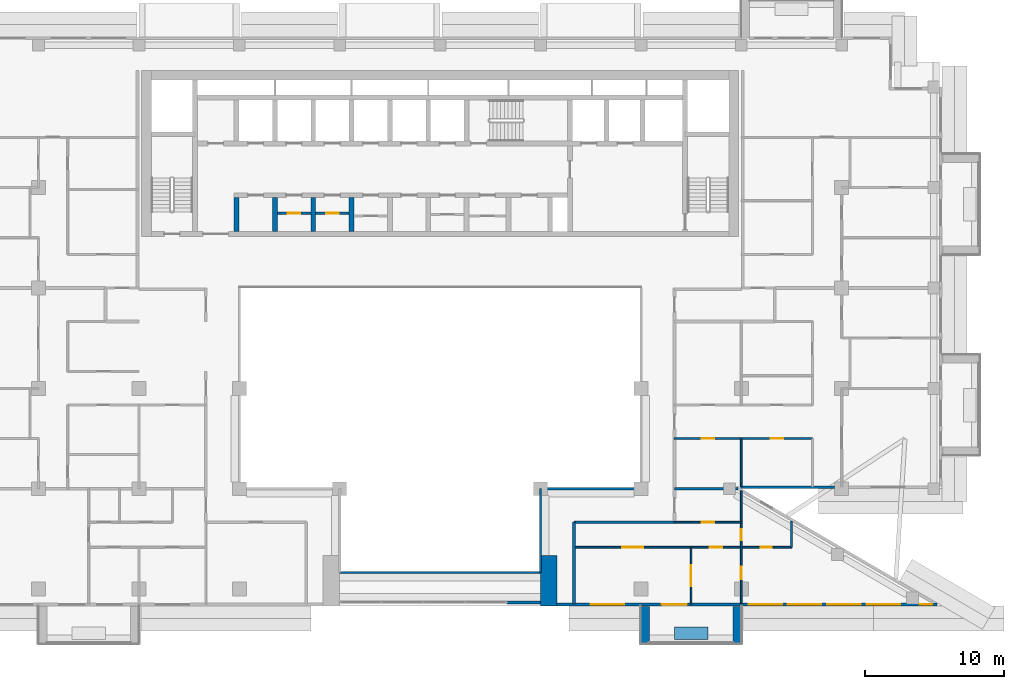
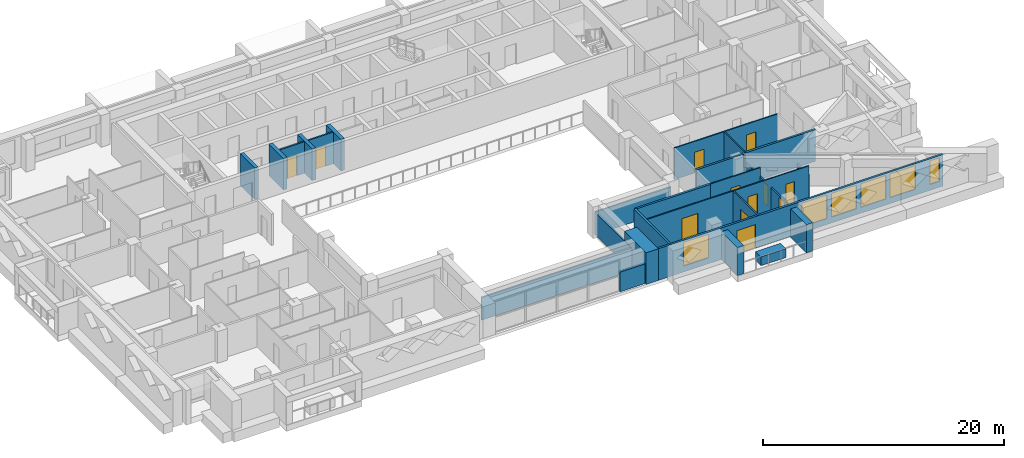
# One storey, part 8 of 20: 26 walls, 12 doors, 6 windows, 18 openings.
"""IFC4 building model written with IfcOpenShell, lengths in metres."""

from ifc_helpers import new_model, si_unit, direction, frame, frame_2d, origin, place, context, subcontext, project, spatial, rectangle, extrude, material, layer, layer_set, type_object, element, fill, save


model = new_model("IFC4")

# Units and contexts
model_context = context("Model", 3, precision=1e-05, world=origin(), true_north=direction((0.0, 1.0)))
body_context = subcontext(model_context, "Body", "Model", "MODEL_VIEW")
ifc_project = project(units=[si_unit("LENGTHUNIT", "METRE"), si_unit("AREAUNIT", "SQUARE_METRE"), si_unit("VOLUMEUNIT", "CUBIC_METRE"), si_unit("PLANEANGLEUNIT", "RADIAN"), si_unit("MASSUNIT", "GRAM", prefix="KILO")], contexts=[model_context])

# Site, building, storey
site_placement = place(None, origin())
site = spatial("IfcSite", under=ifc_project, at=site_placement, CompositionType="ELEMENT")
building_placement = place(site_placement, origin())
building = spatial("IfcBuilding", under=site, at=building_placement, Name="Saffron Iwan Residences", CompositionType="ELEMENT")
storey_placement = place(building_placement, frame((0.0, 0.0, 167.5)))
storey = spatial("IfcBuildingStorey", under=building, at=storey_placement, Name="L44", CompositionType="ELEMENT", Elevation=167.5)

# Walls
ifc_material_1 = material(Name="Fire-rated glazing", Category="glass")
ifc_layer_1 = layer(ifc_material_1, 0.14990234375)
ifc_layer_set_1 = layer_set([ifc_layer_1], Name="Fire-rated glazing")
wall_type_1 = type_object("IfcWallType", Name="Atrium glazed screen 150", PredefinedType="SOLIDWALL", material=ifc_layer_set_1)
wall_1_placement = place(storey_placement, frame((43.199951171875, 42.0, 0.0), z_axis=(0.0, 0.0, 1.0), x_axis=(1.0, 0.0, 0.0)))
element("IfcWall", 1, at=wall_1_placement, inside=storey, type_object=wall_type_1, Name="W-L44-SCREEN-h42-43.2", PredefinedType="SOLIDWALL", context=body_context, shape_type="SweptSolid", body=[
    extrude(rectangle(XDim=14.400146484375, YDim=0.14990234375, at=frame_2d((7.2001953125, 0.0))), origin(), (0.0, 0.0, 1.0), 2.300048828125),
])
wall_2_placement = place(storey_placement, frame((57.60009765625, 48.0, 0.0), z_axis=(0.0, 0.0, 1.0), x_axis=(1.0, 0.0, 0.0)))
element("IfcWall", 2, at=wall_2_placement, inside=storey, type_object=wall_type_1, Name="W-L44-SCREEN-h48-57.6", PredefinedType="SOLIDWALL", context=body_context, shape_type="SweptSolid", body=[
    extrude(rectangle(XDim=7.199951171875, YDim=0.14990234375, at=frame_2d((3.60009765625, 0.0))), origin(), (0.0, 0.0, 1.0), 2.300048828125),
])
wall_3_placement = place(storey_placement, frame((57.60009765625, 42.0, 0.0), z_axis=(0.0, 0.0, 1.0), x_axis=(0.0, 1.0, 0.0)))
element("IfcWall", 3, at=wall_3_placement, inside=storey, type_object=wall_type_1, Name="W-L44-SCREEN-v57.6-42", PredefinedType="SOLIDWALL", context=body_context, shape_type="SweptSolid", body=[
    extrude(rectangle(XDim=6.0, YDim=0.14990234375, at=frame_2d((3.0, 0.0))), origin(), (0.0, 0.0, 1.0), 2.300048828125),
])
ifc_material_2 = material(Name="Concrete C50/60 white painted", Category="concrete")
ifc_layer_2 = layer(ifc_material_2, 0.60009765625)
ifc_layer_set_2 = layer_set([ifc_layer_2], Name="Concrete C50/60 white painted")
wall_type_2 = type_object("IfcWallType", Name="BALCONY FIN 600", PredefinedType="SOLIDWALL", material=ifc_layer_set_2)
for number, where, z_axis, x_axis, name in (
    (4, (65.10009765625, 39.550048828125, 0.0), (0.0, 0.0, 1.0), (0.0, -1.0, 0.0), "Balcony fin L44 11-1a"),
    (5, (71.699951171875, 39.550048828125, 0.0), (0.0, 0.0, 1.0), (0.0, -1.0, 0.0), "Balcony fin L44 11-1b"),
):
    element("IfcWall", number, at=place(storey_placement, frame(where, z_axis=z_axis, x_axis=x_axis)), inside=storey, type_object=wall_type_2, Name=name, PredefinedType="SOLIDWALL", context=body_context, shape_type="SweptSolid", body=[
        extrude(rectangle(XDim=2.650146484375, YDim=0.60009765625, at=frame_2d((1.3251953125, 0.0))), origin(), (0.0, 0.0, 1.0), 2.85009765625),
    ])
ifc_material_3 = material(Name="Concrete C35/45 white painted", Category="concrete")
ifc_layer_3 = layer(ifc_material_3, 0.14990234375)
ifc_layer_set_3 = layer_set([ifc_layer_3], Name="Concrete C35/45 white painted")
wall_type_3 = type_object("IfcWallType", Name="BALCONY PLANTER", PredefinedType="SOLIDWALL", material=ifc_layer_set_3)
wall_4_placement = place(storey_placement, frame((67.199951171875, 37.625, 0.0), z_axis=(0.0, 0.0, 1.0), x_axis=(1.0, 0.0, 0.0)))
element("IfcWall", 6, at=wall_4_placement, inside=storey, type_object=wall_type_3, Name="PLANTER L44 11-1", PredefinedType="SOLIDWALL", context=body_context, shape_type="SweptSolid", body=[
    extrude(rectangle(XDim=2.400146484375, YDim=0.89990234375, at=frame_2d((1.2001953125, 0.0))), origin(), (0.0, 0.0, 1.0), 0.89990234375),
])

# Wall, opening, door
ifc_material_4 = material(Name="Fire-rated plasterboard partition")
ifc_layer_4 = layer(ifc_material_4, 0.14990234375)
ifc_layer_set_4 = layer_set([ifc_layer_4], Name="Fire-rated plasterboard partition")
wall_type_4 = type_object("IfcWallType", Name="Core partition 150", PredefinedType="PARTITIONING", material=ifc_layer_set_4)
wall_5_placement = place(storey_placement, frame((38.72509765625, 67.759521484375, 0.0), z_axis=(0.0, 0.0, 1.0), x_axis=(1.0, 0.0, 0.0)))
wall_5 = element("IfcWall", 7, at=wall_5_placement, inside=storey, type_object=wall_type_4, Name="Core partition P01", PredefinedType="PARTITIONING", context=body_context, shape_type="SweptSolid", body=[
    extrude(rectangle(XDim=2.39990234375, YDim=0.14990234375, at=frame_2d((1.199951171875, 0.0))), origin(), (0.0, 0.0, 1.0), 3.199951171875),
])
opening_1_placement = place(wall_5_placement, frame((0.75, 0.0, 0.0)))
opening_1 = element("IfcOpeningElement", 8, at=opening_1_placement, cuts=wall_5, Name="Opening SB", PredefinedType="OPENING", context=body_context, shape_type="SweptSolid", body=[
    extrude(rectangle(XDim=0.89990234375, YDim=2.10009765625, at=frame_2d((0.449951171875, 1.050048828125))), frame((0.0, 0.0849609375, 0.0), z_axis=(0.0, -1.0, 0.0), x_axis=(1.0, 0.0, 0.0)), (0.0, 0.0, 1.0), 0.169921875),
])
ifc_material_5 = material(Name="Steel fire door", Category="steel")
door_type_1 = type_object("IfcDoorType", Name="Store door 900", OperationType="NOTDEFINED", PredefinedType="DOOR", material=ifc_material_5)
door_1_placement = place(opening_1_placement, origin())
door_1 = element("IfcDoor", 9, at=door_1_placement, inside=storey, type_object=door_type_1, Name="Door Equipment store", OperationType="SINGLE_SWING_RIGHT", OverallHeight=2.10009765625, OverallWidth=0.89990234375, PredefinedType="DOOR", context=body_context, shape_type="SweptSolid", body=[
    extrude(rectangle(XDim=0.89990234375, YDim=2.10009765625, at=frame_2d((0.449951171875, 1.050048828125))), frame((0.0, 0.02490234375, 0.0), z_axis=(0.0, -1.0, 0.0), x_axis=(1.0, 0.0, 0.0)), (0.0, 0.0, 1.0), 0.050048828125),
])
fill(opening_1, door_1)

wall_6_placement = place(storey_placement, frame((41.47509765625, 67.759521484375, 0.0), z_axis=(0.0, 0.0, 1.0), x_axis=(1.0, 0.0, 0.0)))
wall_6 = element("IfcWall", 10, at=wall_6_placement, inside=storey, type_object=wall_type_4, Name="Core partition P02", PredefinedType="PARTITIONING", context=body_context, shape_type="SweptSolid", body=[
    extrude(rectangle(XDim=2.39990234375, YDim=0.14990234375, at=frame_2d((1.199951171875, 0.0))), origin(), (0.0, 0.0, 1.0), 3.199951171875),
])
opening_2_placement = place(wall_6_placement, frame((0.75, 0.0, 0.0)))
opening_2 = element("IfcOpeningElement", 11, at=opening_2_placement, cuts=wall_6, Name="Opening SB", PredefinedType="OPENING", context=body_context, shape_type="SweptSolid", body=[
    extrude(rectangle(XDim=0.89990234375, YDim=2.10009765625, at=frame_2d((0.449951171875, 1.050048828125))), frame((0.0, 0.0849609375, 0.0), z_axis=(0.0, -1.0, 0.0), x_axis=(1.0, 0.0, 0.0)), (0.0, 0.0, 1.0), 0.169921875),
])
door_2_placement = place(opening_2_placement, origin())
door_2 = element("IfcDoor", 12, at=door_2_placement, inside=storey, type_object=door_type_1, Name="Door Mop store", OperationType="SINGLE_SWING_LEFT", OverallHeight=2.10009765625, OverallWidth=0.89990234375, PredefinedType="DOOR", context=body_context, shape_type="SweptSolid", body=[
    extrude(rectangle(XDim=0.89990234375, YDim=2.10009765625, at=frame_2d((0.449951171875, 1.050048828125))), frame((0.0, 0.02490234375, 0.0), z_axis=(0.0, -1.0, 0.0), x_axis=(1.0, 0.0, 0.0)), (0.0, 0.0, 1.0), 0.050048828125),
])
fill(opening_2, door_2)

# Wall
ifc_material_6 = material(Name="Concrete C40/50", Category="concrete")
ifc_layer_5 = layer(ifc_material_6, 0.199951171875)
ifc_layer_set_5 = layer_set([ifc_layer_5], Name="Concrete C40/50")
wall_type_5 = type_object("IfcWallType", Name="EXTERNAL WALL 200", PredefinedType="SOLIDWALL", material=ifc_layer_set_5)
wall_7_placement = place(storey_placement, frame((71.989990234375, 48.10009765625, 0.0), z_axis=(0.0, 0.0, 1.0), x_axis=(1.0, 0.0, 0.0)))
element("IfcWall", 13, at=wall_7_placement, inside=storey, type_object=wall_type_5, Name="External wall L44 F1.0", PredefinedType="SOLIDWALL", context=body_context, shape_type="SweptSolid", body=[
    extrude(rectangle(XDim=6.7099609375, YDim=0.199951171875, at=frame_2d((3.35498046875, 0.0))), origin(), (0.0, 0.0, 1.0), 3.199951171875),
])

# Wall, openings, door, windows
wall_8_placement = place(storey_placement, frame((58.800048828125, 39.699951171875, 0.0), z_axis=(0.0, 0.0, 1.0), x_axis=(1.0, 0.0, 0.0)))
wall_8 = element("IfcWall", 14, at=wall_8_placement, inside=storey, type_object=wall_type_5, Name="External wall L44 F11.1", PredefinedType="SOLIDWALL", context=body_context, shape_type="SweptSolid", body=[
    extrude(rectangle(XDim=27.22998046875, YDim=0.199951171875, at=frame_2d((13.614990234375, 0.0))), origin(), (0.0, 0.0, 1.0), 3.199951171875),
])
opening_3_placement = place(wall_8_placement, frame((7.5, 0.0, 0.0)))
opening_3 = element("IfcOpeningElement", 15, at=opening_3_placement, cuts=wall_8, Name="Opening BD1", PredefinedType="OPENING", context=body_context, shape_type="SweptSolid", body=[
    extrude(rectangle(XDim=1.800048828125, YDim=2.39990234375, at=frame_2d((0.89990234375, 1.199951171875))), frame((0.0, 0.10986328125, 0.0), z_axis=(0.0, -1.0, 0.0), x_axis=(1.0, 0.0, 0.0)), (0.0, 0.0, 1.0), 0.219970703125),
])
opening_4_placement = place(wall_8_placement, frame((2.39990234375, 0.0, 0.60009765625)))
opening_4 = element("IfcOpeningElement", 16, at=opening_4_placement, cuts=wall_8, Name="Opening W1", PredefinedType="OPENING", context=body_context, shape_type="SweptSolid", body=[
    extrude(rectangle(XDim=2.39990234375, YDim=2.39990234375, at=frame_2d((1.199951171875, 1.199951171875))), frame((0.0, 0.10986328125, 0.0), z_axis=(0.0, -1.0, 0.0), x_axis=(1.0, 0.0, 0.0)), (0.0, 0.0, 1.0), 0.219970703125),
])
opening_5_placement = place(wall_8_placement, frame((13.72021484375, 0.0, 0.60009765625)))
opening_5 = element("IfcOpeningElement", 17, at=opening_5_placement, cuts=wall_8, Name="Opening W1", PredefinedType="OPENING", context=body_context, shape_type="SweptSolid", body=[
    extrude(rectangle(XDim=2.39990234375, YDim=2.39990234375, at=frame_2d((1.199951171875, 1.199951171875))), frame((0.0, 0.10986328125, 0.0), z_axis=(0.0, -1.0, 0.0), x_axis=(1.0, 0.0, 0.0)), (0.0, 0.0, 1.0), 0.219970703125),
])
opening_6_placement = place(wall_8_placement, frame((16.54052734375, 0.0, 0.60009765625)))
opening_6 = element("IfcOpeningElement", 18, at=opening_6_placement, cuts=wall_8, Name="Opening W1", PredefinedType="OPENING", context=body_context, shape_type="SweptSolid", body=[
    extrude(rectangle(XDim=2.39990234375, YDim=2.39990234375, at=frame_2d((1.199951171875, 1.199951171875))), frame((0.0, 0.10986328125, 0.0), z_axis=(0.0, -1.0, 0.0), x_axis=(1.0, 0.0, 0.0)), (0.0, 0.0, 1.0), 0.219970703125),
])
opening_7_placement = place(wall_8_placement, frame((19.360595703125, 0.0, 0.60009765625)))
opening_7 = element("IfcOpeningElement", 19, at=opening_7_placement, cuts=wall_8, Name="Opening W1", PredefinedType="OPENING", context=body_context, shape_type="SweptSolid", body=[
    extrude(rectangle(XDim=2.39990234375, YDim=2.39990234375, at=frame_2d((1.199951171875, 1.199951171875))), frame((0.0, 0.10986328125, 0.0), z_axis=(0.0, -1.0, 0.0), x_axis=(1.0, 0.0, 0.0)), (0.0, 0.0, 1.0), 0.219970703125),
])
opening_8_placement = place(wall_8_placement, frame((22.180908203125, 0.0, 0.60009765625)))
opening_8 = element("IfcOpeningElement", 20, at=opening_8_placement, cuts=wall_8, Name="Opening W1", PredefinedType="OPENING", context=body_context, shape_type="SweptSolid", body=[
    extrude(rectangle(XDim=2.39990234375, YDim=2.39990234375, at=frame_2d((1.199951171875, 1.199951171875))), frame((0.0, 0.10986328125, 0.0), z_axis=(0.0, -1.0, 0.0), x_axis=(1.0, 0.0, 0.0)), (0.0, 0.0, 1.0), 0.219970703125),
])
opening_9_placement = place(wall_8_placement, frame((25.990478515625, 0.0, 0.60009765625)))
opening_9 = element("IfcOpeningElement", 21, at=opening_9_placement, cuts=wall_8, Name="Opening W10", PredefinedType="OPENING", context=body_context, shape_type="SweptSolid", body=[
    extrude(rectangle(XDim=0.89990234375, YDim=2.39990234375, at=frame_2d((0.449951171875, 1.199951171875))), frame((0.0, 0.10986328125, 0.0), z_axis=(0.0, -1.0, 0.0), x_axis=(1.0, 0.0, 0.0)), (0.0, 0.0, 1.0), 0.219970703125),
])
ifc_material_7 = material(Name="Clear glass, laminated double glazed", Category="glass")
door_type_2 = type_object("IfcDoorType", Name="BALCONY DOOR 1800 x 2400", OperationType="DOUBLE_DOOR_SLIDING", PredefinedType="DOOR", material=ifc_material_7)
door_3_placement = place(opening_3_placement, origin())
door_3 = element("IfcDoor", 22, at=door_3_placement, inside=storey, type_object=door_type_2, Name="Balcony door L44 F11.0", OperationType="DOUBLE_DOOR_SLIDING", OverallHeight=2.39990234375, OverallWidth=1.800048828125, PredefinedType="DOOR", context=body_context, shape_type="SweptSolid", body=[
    extrude(rectangle(XDim=1.800048828125, YDim=2.39990234375, at=frame_2d((0.89990234375, 1.199951171875))), frame((0.0, 0.02490234375, 0.0), z_axis=(0.0, -1.0, 0.0), x_axis=(1.0, 0.0, 0.0)), (0.0, 0.0, 1.0), 0.050048828125),
])
fill(opening_3, door_3)
window_type_1 = type_object("IfcWindowType", Name="WINDOW 2400 x 2400", PartitioningType="DOUBLE_PANEL_VERTICAL", PredefinedType="WINDOW", material=ifc_material_7)
window_1_placement = place(opening_4_placement, origin())
window_1 = element("IfcWindow", 23, at=window_1_placement, inside=storey, type_object=window_type_1, Name="Window L44 F11.1", OverallHeight=2.39990234375, OverallWidth=2.39990234375, PartitioningType="DOUBLE_PANEL_VERTICAL", PredefinedType="WINDOW", context=body_context, shape_type="SweptSolid", body=[
    extrude(rectangle(XDim=2.39990234375, YDim=2.39990234375, at=frame_2d((1.199951171875, 1.199951171875))), frame((0.0, 0.030029296875, 0.0), z_axis=(0.0, -1.0, 0.0), x_axis=(1.0, 0.0, 0.0)), (0.0, 0.0, 1.0), 0.06005859375),
])
fill(opening_4, window_1)
window_2_placement = place(opening_5_placement, origin())
window_2 = element("IfcWindow", 24, at=window_2_placement, inside=storey, type_object=window_type_1, Name="Window L44 F11.2", OverallHeight=2.39990234375, OverallWidth=2.39990234375, PartitioningType="DOUBLE_PANEL_VERTICAL", PredefinedType="WINDOW", context=body_context, shape_type="SweptSolid", body=[
    extrude(rectangle(XDim=2.39990234375, YDim=2.39990234375, at=frame_2d((1.199951171875, 1.199951171875))), frame((0.0, 0.030029296875, 0.0), z_axis=(0.0, -1.0, 0.0), x_axis=(1.0, 0.0, 0.0)), (0.0, 0.0, 1.0), 0.06005859375),
])
fill(opening_5, window_2)
window_3_placement = place(opening_6_placement, origin())
window_3 = element("IfcWindow", 25, at=window_3_placement, inside=storey, type_object=window_type_1, Name="Window L44 F11.3", OverallHeight=2.39990234375, OverallWidth=2.39990234375, PartitioningType="DOUBLE_PANEL_VERTICAL", PredefinedType="WINDOW", context=body_context, shape_type="SweptSolid", body=[
    extrude(rectangle(XDim=2.39990234375, YDim=2.39990234375, at=frame_2d((1.199951171875, 1.199951171875))), frame((0.0, 0.030029296875, 0.0), z_axis=(0.0, -1.0, 0.0), x_axis=(1.0, 0.0, 0.0)), (0.0, 0.0, 1.0), 0.06005859375),
])
fill(opening_6, window_3)
window_4_placement = place(opening_7_placement, origin())
window_4 = element("IfcWindow", 26, at=window_4_placement, inside=storey, type_object=window_type_1, Name="Window L44 F11.4", OverallHeight=2.39990234375, OverallWidth=2.39990234375, PartitioningType="DOUBLE_PANEL_VERTICAL", PredefinedType="WINDOW", context=body_context, shape_type="SweptSolid", body=[
    extrude(rectangle(XDim=2.39990234375, YDim=2.39990234375, at=frame_2d((1.199951171875, 1.199951171875))), frame((0.0, 0.030029296875, 0.0), z_axis=(0.0, -1.0, 0.0), x_axis=(1.0, 0.0, 0.0)), (0.0, 0.0, 1.0), 0.06005859375),
])
fill(opening_7, window_4)
window_5_placement = place(opening_8_placement, origin())
window_5 = element("IfcWindow", 27, at=window_5_placement, inside=storey, type_object=window_type_1, Name="Window L44 F11.5", OverallHeight=2.39990234375, OverallWidth=2.39990234375, PartitioningType="DOUBLE_PANEL_VERTICAL", PredefinedType="WINDOW", context=body_context, shape_type="SweptSolid", body=[
    extrude(rectangle(XDim=2.39990234375, YDim=2.39990234375, at=frame_2d((1.199951171875, 1.199951171875))), frame((0.0, 0.030029296875, 0.0), z_axis=(0.0, -1.0, 0.0), x_axis=(1.0, 0.0, 0.0)), (0.0, 0.0, 1.0), 0.06005859375),
])
fill(opening_8, window_5)
window_type_2 = type_object("IfcWindowType", Name="WINDOW 900 x 2400", PartitioningType="SINGLE_PANEL", PredefinedType="WINDOW", material=ifc_material_7)
window_6_placement = place(opening_9_placement, origin())
window_6 = element("IfcWindow", 28, at=window_6_placement, inside=storey, type_object=window_type_2, Name="Window L44 F11.6", OverallHeight=2.39990234375, OverallWidth=0.89990234375, PartitioningType="SINGLE_PANEL", PredefinedType="WINDOW", context=body_context, shape_type="SweptSolid", body=[
    extrude(rectangle(XDim=0.89990234375, YDim=2.39990234375, at=frame_2d((0.449951171875, 1.199951171875))), frame((0.0, 0.030029296875, 0.0), z_axis=(0.0, -1.0, 0.0), x_axis=(1.0, 0.0, 0.0)), (0.0, 0.0, 1.0), 0.06005859375),
])
fill(opening_9, window_6)

# Walls
wall_9_placement = place(storey_placement, frame((55.199951171875, 39.85009765625, 0.0), z_axis=(0.0, 0.0, 1.0), x_axis=(1.0, 0.0, 0.0)))
element("IfcWall", 29, at=wall_9_placement, inside=storey, type_object=wall_type_5, Name="External wall infill CWB-L44-0", PredefinedType="SOLIDWALL", context=body_context, shape_type="SweptSolid", body=[
    extrude(rectangle(XDim=2.400146484375, YDim=0.199951171875, at=frame_2d((1.2001953125, 0.0))), origin(), (0.0, 0.0, 1.0), 2.0),
])
ifc_material_8 = material(Name="Fire-rated gypsum board wall")
ifc_layer_6 = layer(ifc_material_8, 0.199951171875)
ifc_layer_set_6 = layer_set([ifc_layer_6], Name="Fire-rated gypsum board wall")
wall_type_6 = type_object("IfcWallType", Name="Flat demising wall 200", PredefinedType="SOLIDWALL", material=ifc_layer_set_6)
wall_10_placement = place(storey_placement, frame((67.199951171875, 48.0, 0.0), z_axis=(0.0, 0.0, 1.0), x_axis=(1.0, 0.0, 0.0)))
element("IfcWall", 30, at=wall_10_placement, inside=storey, type_object=wall_type_6, Name="W-L44-DEMISE-h48-67.2", PredefinedType="SOLIDWALL", context=body_context, shape_type="SweptSolid", body=[
    extrude(rectangle(XDim=4.552001953125, YDim=0.199951171875, at=frame_2d((2.27587890625, 0.0))), origin(), (0.0, 0.0, 1.0), 3.199951171875),
])

# Wall, openings, doors
ifc_material_9 = material(Name="Gypsum board partition")
ifc_layer_7 = layer(ifc_material_9, 0.1201171875)
ifc_layer_set_7 = layer_set([ifc_layer_7], Name="Gypsum board partition")
wall_type_7 = type_object("IfcWallType", Name="Flat partition 120", PredefinedType="PARTITIONING", material=ifc_layer_set_7)
wall_11_placement = place(storey_placement, frame((60.0, 43.800048828125, 0.0), z_axis=(0.0, 0.0, 1.0), x_axis=(1.0, 0.0, 0.0)))
wall_11 = element("IfcWall", 31, at=wall_11_placement, inside=storey, type_object=wall_type_7, Name="W-L44-PART-h43.8-60", PredefinedType="PARTITIONING", context=body_context, shape_type="SweptSolid", body=[
    extrude(rectangle(XDim=15.60009765625, YDim=0.1201171875, at=frame_2d((7.800048828125, 0.0))), origin(), (0.0, 0.0, 1.0), 3.199951171875),
])
opening_10_placement = place(wall_11_placement, frame((9.75, 0.0, 0.0)))
opening_10 = element("IfcOpeningElement", 32, at=opening_10_placement, cuts=wall_11, Name="Opening FD2", PredefinedType="OPENING", context=body_context, shape_type="SweptSolid", body=[
    extrude(rectangle(XDim=0.89990234375, YDim=2.10009765625, at=frame_2d((0.449951171875, 1.050048828125))), frame((0.0, 0.070068359375, 0.0), z_axis=(0.0, -1.0, 0.0), x_axis=(1.0, 0.0, 0.0)), (0.0, 0.0, 1.0), 0.14013671875),
])
opening_11_placement = place(wall_11_placement, frame((3.449951171875, 0.0, 0.0)))
opening_11 = element("IfcOpeningElement", 33, at=opening_11_placement, cuts=wall_11, Name="Opening FD4", PredefinedType="OPENING", context=body_context, shape_type="SweptSolid", body=[
    extrude(rectangle(XDim=1.5, YDim=2.10009765625, at=frame_2d((0.75, 1.050048828125))), frame((0.0, 0.070068359375, 0.0), z_axis=(0.0, -1.0, 0.0), x_axis=(1.0, 0.0, 0.0)), (0.0, 0.0, 1.0), 0.14013671875),
])
opening_12_placement = place(wall_11_placement, frame((13.39990234375, 0.0, 0.0)))
opening_12 = element("IfcOpeningElement", 34, at=opening_12_placement, cuts=wall_11, Name="Opening FD3", PredefinedType="OPENING", context=body_context, shape_type="SweptSolid", body=[
    extrude(rectangle(XDim=0.800048828125, YDim=2.10009765625, at=frame_2d((0.39990234375, 1.050048828125))), frame((0.0, 0.070068359375, 0.0), z_axis=(0.0, -1.0, 0.0), x_axis=(1.0, 0.0, 0.0)), (0.0, 0.0, 1.0), 0.14013671875),
])
ifc_material_10 = material(Name="Timber door", Category="wood")
door_type_3 = type_object("IfcDoorType", Name="Bathroom door 800", OperationType="NOTDEFINED", PredefinedType="DOOR", material=ifc_material_10)
door_4_placement = place(opening_12_placement, origin())
door_4 = element("IfcDoor", 35, at=door_4_placement, inside=storey, type_object=door_type_3, Name="Door L44-048", OperationType="SINGLE_SWING_LEFT", OverallHeight=2.10009765625, OverallWidth=0.800048828125, PredefinedType="DOOR", context=body_context, shape_type="SweptSolid", body=[
    extrude(rectangle(XDim=0.800048828125, YDim=2.10009765625, at=frame_2d((0.39990234375, 1.050048828125))), frame((0.0, 0.02490234375, 0.0), z_axis=(0.0, -1.0, 0.0), x_axis=(1.0, 0.0, 0.0)), (0.0, 0.0, 1.0), 0.050048828125),
])
fill(opening_12, door_4)
door_type_4 = type_object("IfcDoorType", Name="Double door 1500", OperationType="NOTDEFINED", PredefinedType="DOOR", material=ifc_material_10)
door_5_placement = place(opening_11_placement, origin())
door_5 = element("IfcDoor", 36, at=door_5_placement, inside=storey, type_object=door_type_4, Name="Door L44-045", OperationType="SINGLE_SWING_LEFT", OverallHeight=2.10009765625, OverallWidth=1.5, PredefinedType="DOOR", context=body_context, shape_type="SweptSolid", body=[
    extrude(rectangle(XDim=1.5, YDim=2.10009765625, at=frame_2d((0.75, 1.050048828125))), frame((0.0, 0.02490234375, 0.0), z_axis=(0.0, -1.0, 0.0), x_axis=(1.0, 0.0, 0.0)), (0.0, 0.0, 1.0), 0.050048828125),
])
fill(opening_11, door_5)
door_type_5 = type_object("IfcDoorType", Name="Flat door 900", OperationType="NOTDEFINED", PredefinedType="DOOR", material=ifc_material_10)
door_6_placement = place(opening_10_placement, origin())
door_6 = element("IfcDoor", 37, at=door_6_placement, inside=storey, type_object=door_type_5, Name="Door L44-044", OperationType="SINGLE_SWING_RIGHT", OverallHeight=2.10009765625, OverallWidth=0.89990234375, PredefinedType="DOOR", context=body_context, shape_type="SweptSolid", body=[
    extrude(rectangle(XDim=0.89990234375, YDim=2.10009765625, at=frame_2d((0.449951171875, 1.050048828125))), frame((0.0, 0.02490234375, 0.0), z_axis=(0.0, -1.0, 0.0), x_axis=(1.0, 0.0, 0.0)), (0.0, 0.0, 1.0), 0.050048828125),
])
fill(opening_10, door_6)

# Wall, opening, door
wall_12_placement = place(storey_placement, frame((67.199951171875, 45.60009765625, 0.0), z_axis=(0.0, 0.0, 1.0), x_axis=(1.0, 0.0, 0.0)))
wall_12 = element("IfcWall", 38, at=wall_12_placement, inside=storey, type_object=wall_type_7, Name="W-L44-PART-h45.6-67.2", PredefinedType="PARTITIONING", context=body_context, shape_type="SweptSolid", body=[
    extrude(rectangle(XDim=4.800048828125, YDim=0.1201171875, at=frame_2d((2.39990234375, 0.0))), origin(), (0.0, 0.0, 1.0), 3.199951171875),
])
opening_13_placement = place(wall_12_placement, frame((1.949951171875, 0.0, 0.0)))
opening_13 = element("IfcOpeningElement", 39, at=opening_13_placement, cuts=wall_12, Name="Opening FD2", PredefinedType="OPENING", context=body_context, shape_type="SweptSolid", body=[
    extrude(rectangle(XDim=0.89990234375, YDim=2.10009765625, at=frame_2d((0.449951171875, 1.050048828125))), frame((0.0, 0.070068359375, 0.0), z_axis=(0.0, -1.0, 0.0), x_axis=(1.0, 0.0, 0.0)), (0.0, 0.0, 1.0), 0.14013671875),
])
door_7_placement = place(opening_13_placement, origin())
door_7 = element("IfcDoor", 40, at=door_7_placement, inside=storey, type_object=door_type_5, Name="Door L44-042", OperationType="SINGLE_SWING_LEFT", OverallHeight=2.10009765625, OverallWidth=0.89990234375, PredefinedType="DOOR", context=body_context, shape_type="SweptSolid", body=[
    extrude(rectangle(XDim=0.89990234375, YDim=2.10009765625, at=frame_2d((0.449951171875, 1.050048828125))), frame((0.0, 0.02490234375, 0.0), z_axis=(0.0, -1.0, 0.0), x_axis=(1.0, 0.0, 0.0)), (0.0, 0.0, 1.0), 0.050048828125),
])
fill(opening_13, door_7)

# Wall, openings, doors
wall_13_placement = place(storey_placement, frame((67.199951171875, 51.60009765625, 0.0), z_axis=(0.0, 0.0, 1.0), x_axis=(1.0, 0.0, 0.0)))
wall_13 = element("IfcWall", 41, at=wall_13_placement, inside=storey, type_object=wall_type_7, Name="W-L44-PART-h51.6-67.2", PredefinedType="PARTITIONING", context=body_context, shape_type="SweptSolid", body=[
    extrude(rectangle(XDim=9.900146484375, YDim=0.1201171875, at=frame_2d((4.9501953125, 0.0))), origin(), (0.0, 0.0, 1.0), 3.199951171875),
])
opening_14_placement = place(wall_13_placement, frame((6.89990234375, 0.0, 0.0)))
opening_14 = element("IfcOpeningElement", 42, at=opening_14_placement, cuts=wall_13, Name="Opening FD2", PredefinedType="OPENING", context=body_context, shape_type="SweptSolid", body=[
    extrude(rectangle(XDim=0.89990234375, YDim=2.10009765625, at=frame_2d((0.449951171875, 1.050048828125))), frame((0.0, 0.070068359375, 0.0), z_axis=(0.0, -1.0, 0.0), x_axis=(1.0, 0.0, 0.0)), (0.0, 0.0, 1.0), 0.14013671875),
])
opening_15_placement = place(wall_13_placement, frame((1.949951171875, 0.0, 0.0)))
opening_15 = element("IfcOpeningElement", 43, at=opening_15_placement, cuts=wall_13, Name="Opening FD2", PredefinedType="OPENING", context=body_context, shape_type="SweptSolid", body=[
    extrude(rectangle(XDim=0.89990234375, YDim=2.10009765625, at=frame_2d((0.449951171875, 1.050048828125))), frame((0.0, 0.070068359375, 0.0), z_axis=(0.0, -1.0, 0.0), x_axis=(1.0, 0.0, 0.0)), (0.0, 0.0, 1.0), 0.14013671875),
])
door_8_placement = place(opening_14_placement, origin())
door_8 = element("IfcDoor", 44, at=door_8_placement, inside=storey, type_object=door_type_5, Name="Door L44-020", OperationType="SINGLE_SWING_RIGHT", OverallHeight=2.10009765625, OverallWidth=0.89990234375, PredefinedType="DOOR", context=body_context, shape_type="SweptSolid", body=[
    extrude(rectangle(XDim=0.89990234375, YDim=2.10009765625, at=frame_2d((0.449951171875, 1.050048828125))), frame((0.0, 0.02490234375, 0.0), z_axis=(0.0, -1.0, 0.0), x_axis=(1.0, 0.0, 0.0)), (0.0, 0.0, 1.0), 0.050048828125),
])
fill(opening_14, door_8)
door_9_placement = place(opening_15_placement, origin())
door_9 = element("IfcDoor", 45, at=door_9_placement, inside=storey, type_object=door_type_5, Name="Door L44-023", OperationType="SINGLE_SWING_RIGHT", OverallHeight=2.10009765625, OverallWidth=0.89990234375, PredefinedType="DOOR", context=body_context, shape_type="SweptSolid", body=[
    extrude(rectangle(XDim=0.89990234375, YDim=2.10009765625, at=frame_2d((0.449951171875, 1.050048828125))), frame((0.0, 0.02490234375, 0.0), z_axis=(0.0, -1.0, 0.0), x_axis=(1.0, 0.0, 0.0)), (0.0, 0.0, 1.0), 0.050048828125),
])
fill(opening_15, door_9)

# Wall, opening, door
wall_14_placement = place(storey_placement, frame((68.39990234375, 39.72509765625, 0.0), z_axis=(0.0, 0.0, 1.0), x_axis=(0.0, 1.0, 0.0)))
wall_14 = element("IfcWall", 46, at=wall_14_placement, inside=storey, type_object=wall_type_7, Name="W-L44-PART-v68.4-39.725", PredefinedType="PARTITIONING", context=body_context, shape_type="SweptSolid", body=[
    extrude(rectangle(XDim=4.074951171875, YDim=0.1201171875, at=frame_2d((2.03759765625, 0.0))), origin(), (0.0, 0.0, 1.0), 3.199951171875),
])
opening_16_placement = place(wall_14_placement, frame((1.28759765625, 0.0, 0.0)))
opening_16 = element("IfcOpeningElement", 47, at=opening_16_placement, cuts=wall_14, Name="Opening FD4", PredefinedType="OPENING", context=body_context, shape_type="SweptSolid", body=[
    extrude(rectangle(XDim=1.5, YDim=2.10009765625, at=frame_2d((0.75, 1.050048828125))), frame((0.0, 0.070068359375, 0.0), z_axis=(0.0, -1.0, 0.0), x_axis=(1.0, 0.0, 0.0)), (0.0, 0.0, 1.0), 0.14013671875),
])
door_10_placement = place(opening_16_placement, origin())
door_10 = element("IfcDoor", 48, at=door_10_placement, inside=storey, type_object=door_type_4, Name="Door L44-041", OperationType="SINGLE_SWING_RIGHT", OverallHeight=2.10009765625, OverallWidth=1.5, PredefinedType="DOOR", context=body_context, shape_type="SweptSolid", body=[
    extrude(rectangle(XDim=1.5, YDim=2.10009765625, at=frame_2d((0.75, 1.050048828125))), frame((0.0, 0.02490234375, 0.0), z_axis=(0.0, -1.0, 0.0), x_axis=(1.0, 0.0, 0.0)), (0.0, 0.0, 1.0), 0.050048828125),
])
fill(opening_16, door_10)

# Wall, openings, doors
wall_15_placement = place(storey_placement, frame((72.0, 39.72509765625, 0.0), z_axis=(0.0, 0.0, 1.0), x_axis=(0.0, 1.0, 0.0)))
wall_15 = element("IfcWall", 49, at=wall_15_placement, inside=storey, type_object=wall_type_7, Name="W-L44-PART-v72-39.725", PredefinedType="PARTITIONING", context=body_context, shape_type="SweptSolid", body=[
    extrude(rectangle(XDim=8.1298828125, YDim=0.1201171875, at=frame_2d((4.06494140625, 0.0))), origin(), (0.0, 0.0, 1.0), 2.300048828125),
])
opening_17_placement = place(wall_15_placement, frame((1.78759765625, 0.0, 0.0)))
opening_17 = element("IfcOpeningElement", 50, at=opening_17_placement, cuts=wall_15, Name="Opening FD2", PredefinedType="OPENING", context=body_context, shape_type="SweptSolid", body=[
    extrude(rectangle(XDim=0.89990234375, YDim=2.10009765625, at=frame_2d((0.449951171875, 1.050048828125))), frame((0.0, 0.070068359375, 0.0), z_axis=(0.0, -1.0, 0.0), x_axis=(1.0, 0.0, 0.0)), (0.0, 0.0, 1.0), 0.14013671875),
])
opening_18_placement = place(wall_15_placement, frame((4.574951171875, 0.0, 0.0)))
opening_18 = element("IfcOpeningElement", 51, at=opening_18_placement, cuts=wall_15, Name="Opening FD3", PredefinedType="OPENING", context=body_context, shape_type="SweptSolid", body=[
    extrude(rectangle(XDim=0.800048828125, YDim=2.10009765625, at=frame_2d((0.39990234375, 1.050048828125))), frame((0.0, 0.070068359375, 0.0), z_axis=(0.0, -1.0, 0.0), x_axis=(1.0, 0.0, 0.0)), (0.0, 0.0, 1.0), 0.14013671875),
])
door_11_placement = place(opening_18_placement, origin())
door_11 = element("IfcDoor", 52, at=door_11_placement, inside=storey, type_object=door_type_3, Name="Door L44-047", OperationType="SINGLE_SWING_RIGHT", OverallHeight=2.10009765625, OverallWidth=0.800048828125, PredefinedType="DOOR", context=body_context, shape_type="SweptSolid", body=[
    extrude(rectangle(XDim=0.800048828125, YDim=2.10009765625, at=frame_2d((0.39990234375, 1.050048828125))), frame((0.0, 0.02490234375, 0.0), z_axis=(0.0, -1.0, 0.0), x_axis=(1.0, 0.0, 0.0)), (0.0, 0.0, 1.0), 0.050048828125),
])
fill(opening_18, door_11)
door_12_placement = place(opening_17_placement, origin())
door_12 = element("IfcDoor", 53, at=door_12_placement, inside=storey, type_object=door_type_5, Name="Door L44-046", OperationType="SINGLE_SWING_RIGHT", OverallHeight=2.10009765625, OverallWidth=0.89990234375, PredefinedType="DOOR", context=body_context, shape_type="SweptSolid", body=[
    extrude(rectangle(XDim=0.89990234375, YDim=2.10009765625, at=frame_2d((0.449951171875, 1.050048828125))), frame((0.0, 0.02490234375, 0.0), z_axis=(0.0, -1.0, 0.0), x_axis=(1.0, 0.0, 0.0)), (0.0, 0.0, 1.0), 0.050048828125),
])
fill(opening_17, door_12)

# Walls
wall_16_placement = place(storey_placement, frame((72.0, 48.125, 0.0), z_axis=(0.0, 0.0, 1.0), x_axis=(0.0, 1.0, 0.0)))
element("IfcWall", 54, at=wall_16_placement, inside=storey, type_object=wall_type_7, Name="W-L44-PART-v72-48.125", PredefinedType="PARTITIONING", context=body_context, shape_type="SweptSolid", body=[
    extrude(rectangle(XDim=3.47509765625, YDim=0.1201171875, at=frame_2d((1.737548828125, 0.0))), origin(), (0.0, 0.0, 1.0), 3.199951171875),
])
wall_17_placement = place(storey_placement, frame((75.60009765625, 43.800048828125, 0.0), z_axis=(0.0, 0.0, 1.0), x_axis=(0.0, 1.0, 0.0)))
element("IfcWall", 55, at=wall_17_placement, inside=storey, type_object=wall_type_7, Name="W-L44-PART-v75.6-43.8", PredefinedType="PARTITIONING", context=body_context, shape_type="SweptSolid", body=[
    extrude(rectangle(XDim=1.868408203125, YDim=0.1201171875, at=frame_2d((0.93408203125, 0.0))), origin(), (0.0, 0.0, 1.0), 2.300048828125),
])
ifc_layer_8 = layer(ifc_material_8, 0.199951171875)
ifc_layer_set_8 = layer_set([ifc_layer_8], Name="Fire-rated gypsum board wall")
wall_type_8 = type_object("IfcWallType", Name="Gallery wall 200", PredefinedType="SOLIDWALL", material=ifc_layer_set_8)
wall_18_placement = place(storey_placement, frame((60.0, 45.60009765625, 0.0), z_axis=(0.0, 0.0, 1.0), x_axis=(1.0, 0.0, 0.0)))
element("IfcWall", 56, at=wall_18_placement, inside=storey, type_object=wall_type_8, Name="W-L44-CORR-h45.6-60", PredefinedType="SOLIDWALL", context=body_context, shape_type="SweptSolid", body=[
    extrude(rectangle(XDim=7.199951171875, YDim=0.199951171875, at=frame_2d((3.60009765625, 0.0))), origin(), (0.0, 0.0, 1.0), 3.199951171875),
])
wall_19_placement = place(storey_placement, frame((60.0, 39.72509765625, 0.0), z_axis=(0.0, 0.0, 1.0), x_axis=(0.0, 1.0, 0.0)))
element("IfcWall", 57, at=wall_19_placement, inside=storey, type_object=wall_type_8, Name="W-L44-CORR-v60-39.725", PredefinedType="SOLIDWALL", context=body_context, shape_type="SweptSolid", body=[
    extrude(rectangle(XDim=5.875, YDim=0.199951171875, at=frame_2d((2.9375, 0.0))), origin(), (0.0, 0.0, 1.0), 3.199951171875),
])
ifc_material_11 = material(Name="Concrete C50/60", Category="concrete")
ifc_layer_9 = layer(ifc_material_11, 0.35009765625)
ifc_layer_set_9 = layer_set([ifc_layer_9], Name="Concrete C50/60")
wall_type_9 = type_object("IfcWallType", Name="WALL CORE 350 C50/60 3200 HIGH", PredefinedType="SHEAR", material=ifc_layer_set_9)
for number, where, z_axis, x_axis, name in (
    (58, (35.800048828125, 66.449951171875, 0.0), (0.0, 0.0, 1.0), (0.0, 1.0, 0.0), "Core wall"),
    (59, (38.550048828125, 66.449951171875, 0.0), (0.0, 0.0, 1.0), (0.0, 1.0, 0.0), "Core wall"),
    (60, (41.300048828125, 66.449951171875, 0.0), (0.0, 0.0, 1.0), (0.0, 1.0, 0.0), "Core wall"),
    (61, (44.050048828125, 66.449951171875, 0.0), (0.0, 0.0, 1.0), (0.0, 1.0, 0.0), "Core wall"),
):
    element("IfcWall", number, at=place(storey_placement, frame(where, z_axis=z_axis, x_axis=x_axis)), inside=storey, type_object=wall_type_9, Name=name, PredefinedType="SHEAR", context=body_context, shape_type="SweptSolid", body=[
        extrude(rectangle(XDim=2.425048828125, YDim=0.35009765625, at=frame_2d((1.21240234375, 0.0))), origin(), (0.0, 0.0, 1.0), 3.199951171875),
    ])
ifc_layer_10 = layer(ifc_material_11, 1.199951171875)
ifc_layer_set_10 = layer_set([ifc_layer_10], Name="Concrete C50/60")
wall_type_10 = type_object("IfcWallType", Name="WALL IWAN PIER 1200 C50/60 3200 HIGH", PredefinedType="SHEAR", material=ifc_layer_set_10)
wall_20_placement = place(storey_placement, frame((58.199951171875, 39.60009765625, 0.0), z_axis=(0.0, 0.0, 1.0), x_axis=(0.0, 1.0, 0.0)))
element("IfcWall", 62, at=wall_20_placement, inside=storey, type_object=wall_type_10, Name="IWAN PIER", PredefinedType="SHEAR", context=body_context, shape_type="SweptSolid", body=[
    extrude(rectangle(XDim=3.599853515625, YDim=1.199951171875, at=frame_2d((1.7998046875, 0.0))), origin(), (0.0, 0.0, 1.0), 3.199951171875),
])

save(model, "model.ifc")
